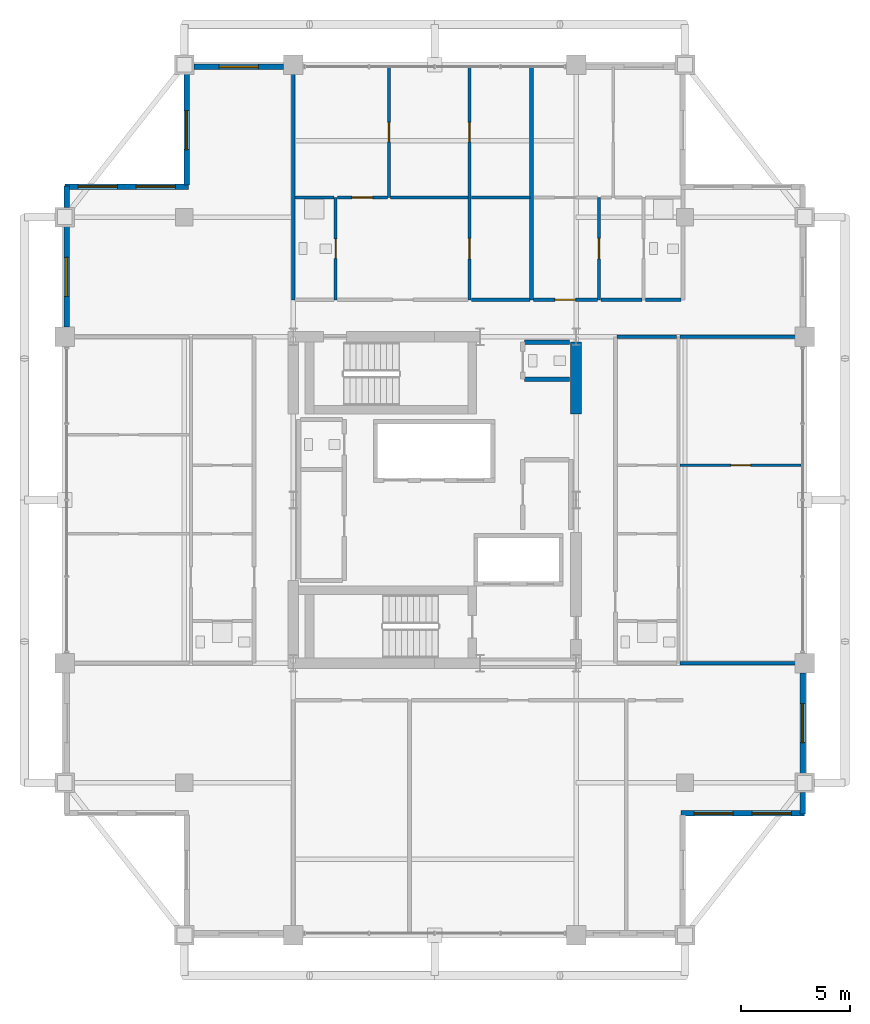
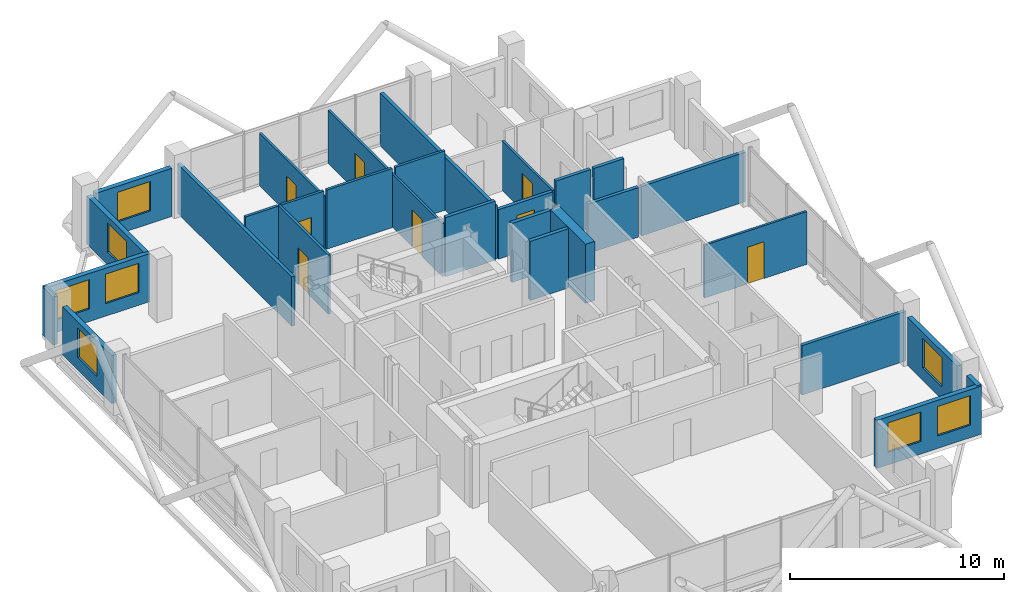
# One storey, part 21 of 24: 29 walls, 8 doors, 8 windows, 16 openings.
"""IFC4 building model written with IfcOpenShell, lengths in metres."""

from ifc_helpers import new_model, si_unit, direction, frame, frame_2d, origin, place, context, subcontext, project, spatial, rectangle, extrude, material, layer, layer_set, type_object, element, fill, save


model = new_model("IFC4")

# Units and contexts
model_context = context("Model", 3, precision=1e-05, world=origin(), true_north=direction((0.0, 1.0)))
body_context = subcontext(model_context, "Body", "Model", "MODEL_VIEW")
ifc_project = project(units=[si_unit("LENGTHUNIT", "METRE"), si_unit("AREAUNIT", "SQUARE_METRE"), si_unit("VOLUMEUNIT", "CUBIC_METRE"), si_unit("PLANEANGLEUNIT", "RADIAN"), si_unit("MASSUNIT", "GRAM", prefix="KILO")], contexts=[model_context])

# Site, building, storey
site_placement = place(None, origin())
site = spatial("IfcSite", under=ifc_project, at=site_placement, CompositionType="ELEMENT")
building_placement = place(site_placement, origin())
building = spatial("IfcBuilding", under=site, at=building_placement, Name="Barlavira Tower and Art Museum", CompositionType="ELEMENT")
storey_placement = place(building_placement, frame((0.0, 0.0, 251.10009765625)))
storey = spatial("IfcBuildingStorey", under=building, at=storey_placement, Name="L65", CompositionType="ELEMENT", Elevation=251.10009765625)

# Wall, opening, door
ifc_material_1 = material(Name="Gypsum acoustic stud partition", Category="gypsum")
ifc_layer_1 = layer(ifc_material_1, 0.1201171875, Name="Gypsum acoustic stud partition")
ifc_layer_set_1 = layer_set([ifc_layer_1], Name="Gypsum acoustic stud partition")
wall_type_1 = type_object("IfcWallType", Name="Apartment Internal Acoustic Partition 120", PredefinedType="PARTITIONING", material=ifc_layer_set_1)
wall_1_placement = place(storey_placement, frame((-2.10009765625, 13.89990234375, 0.0), z_axis=(0.0, 0.0, 1.0), x_axis=(0.0, 1.0, 0.0)))
wall_1 = element("IfcWall", 1, at=wall_1_placement, inside=storey, type_object=wall_type_1, Name="L65 Partition Wall 8", PredefinedType="PARTITIONING", context=body_context, shape_type="SweptSolid", body=[
    extrude(rectangle(XDim=6.0, YDim=0.1201171875, at=frame_2d((3.0, 0.0))), origin(), (0.0, 0.0, 1.0), 3.017822265625),
])
opening_1_placement = place(wall_1_placement, frame((2.550048828125, 0.0, 0.0)))
opening_1 = element("IfcOpeningElement", 2, at=opening_1_placement, cuts=wall_1, Name="Opening D-01", PredefinedType="OPENING", context=body_context, shape_type="SweptSolid", body=[
    extrude(rectangle(XDim=0.89990234375, YDim=2.10009765625, at=frame_2d((0.449951171875, 1.050048828125))), frame((0.0, 0.070068359375, 0.0), z_axis=(0.0, -1.0, 0.0), x_axis=(1.0, 0.0, 0.0)), (0.0, 0.0, 1.0), 0.14013671875),
])
ifc_material_2 = material(Name="Engineered coastal hardwood", Category="wood")
door_type_1 = type_object("IfcDoorType", Name="Internal Bedroom Timber Flush Door 900x2100", OperationType="NOTDEFINED", PredefinedType="DOOR", material=ifc_material_2)
door_1_placement = place(opening_1_placement, origin())
door_1 = element("IfcDoor", 3, at=door_1_placement, inside=storey, type_object=door_type_1, Name="Apartment N1 Bedroom 1 Door", OperationType="SINGLE_SWING_RIGHT", OverallHeight=2.10009765625, OverallWidth=0.89990234375, PredefinedType="DOOR", context=body_context, shape_type="SweptSolid", body=[
    extrude(rectangle(XDim=0.89990234375, YDim=2.10009765625, at=frame_2d((0.449951171875, 1.050048828125))), frame((0.0, 0.02490234375, 0.0), z_axis=(0.0, -1.0, 0.0), x_axis=(1.0, 0.0, 0.0)), (0.0, 0.0, 1.0), 0.050048828125),
])
fill(opening_1, door_1)

# Wall, openings, doors
wall_2_placement = place(storey_placement, frame((1.60009765625, 9.199951171875, 0.0), z_axis=(0.0, 0.0, 1.0), x_axis=(0.0, 1.0, 0.0)))
wall_2 = element("IfcWall", 4, at=wall_2_placement, inside=storey, type_object=wall_type_1, Name="L65 Partition Wall 10", PredefinedType="PARTITIONING", context=body_context, shape_type="SweptSolid", body=[
    extrude(rectangle(XDim=10.699951171875, YDim=0.1201171875, at=frame_2d((5.35009765625, 0.0))), origin(), (0.0, 0.0, 1.0), 3.017822265625),
])
opening_2_placement = place(wall_2_placement, frame((1.875, 0.0, 0.0)))
opening_2 = element("IfcOpeningElement", 5, at=opening_2_placement, cuts=wall_2, Name="Opening D-02", PredefinedType="OPENING", context=body_context, shape_type="SweptSolid", body=[
    extrude(rectangle(XDim=0.949951171875, YDim=2.10009765625, at=frame_2d((0.47509765625, 1.050048828125))), frame((0.0, 0.070068359375, 0.0), z_axis=(0.0, -1.0, 0.0), x_axis=(1.0, 0.0, 0.0)), (0.0, 0.0, 1.0), 0.14013671875),
])
opening_3_placement = place(wall_2_placement, frame((7.25, 0.0, 0.0)))
opening_3 = element("IfcOpeningElement", 6, at=opening_3_placement, cuts=wall_2, Name="Opening D-01", PredefinedType="OPENING", context=body_context, shape_type="SweptSolid", body=[
    extrude(rectangle(XDim=0.89990234375, YDim=2.10009765625, at=frame_2d((0.449951171875, 1.050048828125))), frame((0.0, 0.070068359375, 0.0), z_axis=(0.0, -1.0, 0.0), x_axis=(1.0, 0.0, 0.0)), (0.0, 0.0, 1.0), 0.14013671875),
])
door_2_placement = place(opening_3_placement, origin())
door_2 = element("IfcDoor", 7, at=door_2_placement, inside=storey, type_object=door_type_1, Name="Apartment N1 Bedroom 2 Door", OperationType="SINGLE_SWING_LEFT", OverallHeight=2.10009765625, OverallWidth=0.89990234375, PredefinedType="DOOR", context=body_context, shape_type="SweptSolid", body=[
    extrude(rectangle(XDim=0.89990234375, YDim=2.10009765625, at=frame_2d((0.449951171875, 1.050048828125))), frame((0.0, 0.02490234375, 0.0), z_axis=(0.0, -1.0, 0.0), x_axis=(1.0, 0.0, 0.0)), (0.0, 0.0, 1.0), 0.050048828125),
])
fill(opening_3, door_2)
door_type_2 = type_object("IfcDoorType", Name="Living and Salon Glazed-Leaf Door 950x2100", OperationType="NOTDEFINED", PredefinedType="DOOR", material=ifc_material_2)
door_3_placement = place(opening_2_placement, origin())
door_3 = element("IfcDoor", 8, at=door_3_placement, inside=storey, type_object=door_type_2, Name="Apartment N1 Kitchen Door", OperationType="SINGLE_SWING_RIGHT", OverallHeight=2.10009765625, OverallWidth=0.949951171875, PredefinedType="DOOR", context=body_context, shape_type="SweptSolid", body=[
    extrude(rectangle(XDim=0.949951171875, YDim=2.10009765625, at=frame_2d((0.47509765625, 1.050048828125))), frame((0.0, 0.02490234375, 0.0), z_axis=(0.0, -1.0, 0.0), x_axis=(1.0, 0.0, 0.0)), (0.0, 0.0, 1.0), 0.050048828125),
])
fill(opening_2, door_3)

# Wall, opening, door
wall_3_placement = place(storey_placement, frame((7.550048828125, 9.199951171875, 0.0), z_axis=(0.0, 0.0, 1.0), x_axis=(0.0, 1.0, 0.0)))
wall_3 = element("IfcWall", 9, at=wall_3_placement, inside=storey, type_object=wall_type_1, Name="L65 Partition Wall 15", PredefinedType="PARTITIONING", context=body_context, shape_type="SweptSolid", body=[
    extrude(rectangle(XDim=4.699951171875, YDim=0.1201171875, at=frame_2d((2.35009765625, 0.0))), origin(), (0.0, 0.0, 1.0), 2.825927734375),
])
opening_4_placement = place(wall_3_placement, frame((1.875, 0.0, 0.0)))
opening_4 = element("IfcOpeningElement", 10, at=opening_4_placement, cuts=wall_3, Name="Opening D-02", PredefinedType="OPENING", context=body_context, shape_type="SweptSolid", body=[
    extrude(rectangle(XDim=0.949951171875, YDim=2.10009765625, at=frame_2d((0.47509765625, 1.050048828125))), frame((0.0, 0.070068359375, 0.0), z_axis=(0.0, -1.0, 0.0), x_axis=(1.0, 0.0, 0.0)), (0.0, 0.0, 1.0), 0.14013671875),
])
door_4_placement = place(opening_4_placement, origin())
door_4 = element("IfcDoor", 11, at=door_4_placement, inside=storey, type_object=door_type_2, Name="Apartment N2 Kitchen Door", OperationType="SINGLE_SWING_LEFT", OverallHeight=2.10009765625, OverallWidth=0.949951171875, PredefinedType="DOOR", context=body_context, shape_type="SweptSolid", body=[
    extrude(rectangle(XDim=0.949951171875, YDim=2.10009765625, at=frame_2d((0.47509765625, 1.050048828125))), frame((0.0, 0.02490234375, 0.0), z_axis=(0.0, -1.0, 0.0), x_axis=(1.0, 0.0, 0.0)), (0.0, 0.0, 1.0), 0.050048828125),
])
fill(opening_4, door_4)

wall_4_placement = place(storey_placement, frame((11.280029296875, 1.60009765625, 0.0), z_axis=(0.0, 0.0, 1.0), x_axis=(1.0, 0.0, 0.0)))
wall_4 = element("IfcWall", 12, at=wall_4_placement, inside=storey, type_object=wall_type_1, Name="L65 Partition Wall 38", PredefinedType="PARTITIONING", context=body_context, shape_type="SweptSolid", body=[
    extrude(rectangle(XDim=5.5400390625, YDim=0.1201171875, at=frame_2d((2.77001953125, 0.0))), origin(), (0.0, 0.0, 1.0), 3.017822265625),
])
opening_5_placement = place(wall_4_placement, frame((2.330078125, 0.0, 0.0)))
opening_5 = element("IfcOpeningElement", 13, at=opening_5_placement, cuts=wall_4, Name="Opening D-01", PredefinedType="OPENING", context=body_context, shape_type="SweptSolid", body=[
    extrude(rectangle(XDim=0.89990234375, YDim=2.10009765625, at=frame_2d((0.449951171875, 1.050048828125))), frame((0.0, 0.070068359375, 0.0), z_axis=(0.0, -1.0, 0.0), x_axis=(1.0, 0.0, 0.0)), (0.0, 0.0, 1.0), 0.14013671875),
])
door_5_placement = place(opening_5_placement, origin())
door_5 = element("IfcDoor", 14, at=door_5_placement, inside=storey, type_object=door_type_1, Name="Apartment E1 Bedroom 1 Door", OperationType="SINGLE_SWING_LEFT", OverallHeight=2.10009765625, OverallWidth=0.89990234375, PredefinedType="DOOR", context=body_context, shape_type="SweptSolid", body=[
    extrude(rectangle(XDim=0.89990234375, YDim=2.10009765625, at=frame_2d((0.449951171875, 1.050048828125))), frame((0.0, 0.02490234375, 0.0), z_axis=(0.0, -1.0, 0.0), x_axis=(1.0, 0.0, 0.0)), (0.0, 0.0, 1.0), 0.050048828125),
])
fill(opening_5, door_5)

# Walls
ifc_material_3 = material(Name="Concrete C60", Category="concrete")
ifc_layer_2 = layer(ifc_material_3, 0.5, Name="Concrete C60")
ifc_layer_set_2 = layer_set([ifc_layer_2], Name="Concrete C60")
wall_type_2 = type_object("IfcWallType", Name="Core Structural Shear Wall 500 Concrete C60", PredefinedType="SHEAR", material=ifc_layer_set_2)
wall_5_placement = place(storey_placement, frame((6.5, 3.949951171875, 0.0), z_axis=(0.0, 0.0, 1.0), x_axis=(0.0, 1.0, 0.0)))
element("IfcWall", 15, at=wall_5_placement, inside=storey, type_object=wall_type_2, Name="L65 Core Shear Wall CS-E2", PredefinedType="SHEAR", context=body_context, shape_type="SweptSolid", body=[
    extrude(rectangle(XDim=3.300048828125, YDim=0.5, at=frame_2d((1.64990234375, 0.0))), origin(), (0.0, 0.0, 1.0), 3.3798828125),
])
ifc_material_4 = material(Name="Autoclaved aerated concrete masonry", Category="masonry")
ifc_layer_3 = layer(ifc_material_4, 0.199951171875, Name="Autoclaved aerated concrete masonry")
ifc_layer_set_3 = layer_set([ifc_layer_3], Name="Autoclaved aerated concrete masonry")
wall_type_3 = type_object("IfcWallType", Name="Fire Compartment and Shaft Wall 200", PredefinedType="SOLIDWALL", material=ifc_layer_set_3)
for number, where, z_axis, x_axis, name in (
    (16, (4.1298828125, 5.550048828125, 0.0), (0.0, 0.0, 1.0), (1.0, 0.0, 0.0), "L65 Partition Wall 42"),
    (17, (4.1298828125, 7.25, 0.0), (0.0, 0.0, 1.0), (1.0, 0.0, 0.0), "L65 Partition Wall 43"),
):
    element("IfcWall", number, at=place(storey_placement, frame(where, z_axis=z_axis, x_axis=x_axis)), inside=storey, type_object=wall_type_3, Name=name, PredefinedType="SOLIDWALL", context=body_context, shape_type="SweptSolid", body=[
        extrude(rectangle(XDim=2.070068359375, YDim=0.199951171875, at=frame_2d((1.03515625, 0.0))), origin(), (0.0, 0.0, 1.0), 3.3798828125),
    ])
ifc_layer_4 = layer(ifc_material_1, 0.179931640625, Name="Gypsum acoustic stud partition")
ifc_layer_set_4 = layer_set([ifc_layer_4], Name="Gypsum acoustic stud partition")
wall_type_4 = type_object("IfcWallType", Name="Inter-Tenancy Party Partition Wall 180", PredefinedType="PARTITIONING", material=ifc_layer_set_4)
wall_6_placement = place(storey_placement, frame((-6.5, 9.199951171875, 0.0), z_axis=(0.0, 0.0, 1.0), x_axis=(0.0, 1.0, 0.0)))
element("IfcWall", 18, at=wall_6_placement, inside=storey, type_object=wall_type_4, Name="L65 Partition Wall 4", PredefinedType="PARTITIONING", context=body_context, shape_type="SweptSolid", body=[
    extrude(rectangle(XDim=10.699951171875, YDim=0.179931640625, at=frame_2d((5.35009765625, 0.0))), origin(), (0.0, 0.0, 1.0), 2.825927734375),
])
wall_7_placement = place(storey_placement, frame((4.449951171875, 9.199951171875, 0.0), z_axis=(0.0, 0.0, 1.0), x_axis=(0.0, 1.0, 0.0)))
element("IfcWall", 19, at=wall_7_placement, inside=storey, type_object=wall_type_4, Name="L65 Partition Wall 13", PredefinedType="PARTITIONING", context=body_context, shape_type="SweptSolid", body=[
    extrude(rectangle(XDim=10.699951171875, YDim=0.179931640625, at=frame_2d((5.35009765625, 0.0))), origin(), (0.0, 0.0, 1.0), 3.017822265625),
])
wall_8_placement = place(storey_placement, frame((11.280029296875, -7.5, 0.0), z_axis=(0.0, 0.0, 1.0), x_axis=(1.0, 0.0, 0.0)))
element("IfcWall", 20, at=wall_8_placement, inside=storey, type_object=wall_type_4, Name="L65 Partition Wall 28", PredefinedType="PARTITIONING", context=body_context, shape_type="SweptSolid", body=[
    extrude(rectangle(XDim=5.619873046875, YDim=0.179931640625, at=frame_2d((2.81005859375, 0.0))), origin(), (0.0, 0.0, 1.0), 2.825927734375),
])
wall_9_placement = place(storey_placement, frame((8.3798828125, 7.5, 0.0), z_axis=(0.0, 0.0, 1.0), x_axis=(1.0, 0.0, 0.0)))
element("IfcWall", 21, at=wall_9_placement, inside=storey, type_object=wall_type_4, Name="L65 Partition Wall 46", PredefinedType="PARTITIONING", context=body_context, shape_type="SweptSolid", body=[
    extrude(rectangle(XDim=2.740234375, YDim=0.179931640625, at=frame_2d((1.3701171875, 0.0))), origin(), (0.0, 0.0, 1.0), 2.825927734375),
])
wall_10_placement = place(storey_placement, frame((11.280029296875, 7.5, 0.0), z_axis=(0.0, 0.0, 1.0), x_axis=(1.0, 0.0, 0.0)))
element("IfcWall", 22, at=wall_10_placement, inside=storey, type_object=wall_type_4, Name="L65 Partition Wall 47", PredefinedType="PARTITIONING", context=body_context, shape_type="SweptSolid", body=[
    extrude(rectangle(XDim=5.619873046875, YDim=0.179931640625, at=frame_2d((2.81005859375, 0.0))), origin(), (0.0, 0.0, 1.0), 2.825927734375),
])
wall_11_placement = place(storey_placement, frame((1.679931640625, 9.199951171875, 0.0), z_axis=(0.0, 0.0, 1.0), x_axis=(1.0, 0.0, 0.0)))
element("IfcWall", 23, at=wall_11_placement, inside=storey, type_object=wall_type_4, Name="L65 Partition Wall 50", PredefinedType="PARTITIONING", context=body_context, shape_type="SweptSolid", body=[
    extrude(rectangle(XDim=2.690185546875, YDim=0.179931640625, at=frame_2d((1.34521484375, 0.0))), origin(), (0.0, 0.0, 1.0), 3.3798828125),
])

# Wall, opening, door
wall_12_placement = place(storey_placement, frame((4.530029296875, 9.199951171875, 0.0), z_axis=(0.0, 0.0, 1.0), x_axis=(1.0, 0.0, 0.0)))
wall_12 = element("IfcWall", 24, at=wall_12_placement, inside=storey, type_object=wall_type_4, Name="L65 Partition Wall 51", PredefinedType="PARTITIONING", context=body_context, shape_type="SweptSolid", body=[
    extrude(rectangle(XDim=2.93994140625, YDim=0.179931640625, at=frame_2d((1.469970703125, 0.0))), origin(), (0.0, 0.0, 1.0), 2.825927734375),
])
opening_6_placement = place(wall_12_placement, frame((0.9951171875, 0.0, 0.0)))
opening_6 = element("IfcOpeningElement", 25, at=opening_6_placement, cuts=wall_12, Name="Opening FD-60", PredefinedType="OPENING", context=body_context, shape_type="SweptSolid", body=[
    extrude(rectangle(XDim=0.949951171875, YDim=2.14990234375, at=frame_2d((0.47509765625, 1.074951171875))), frame((0.0, 0.10009765625, 0.0), z_axis=(0.0, -1.0, 0.0), x_axis=(1.0, 0.0, 0.0)), (0.0, 0.0, 1.0), 0.199951171875),
])
ifc_material_5 = material(Name="Brushed stainless steel", Category="steel")
door_type_3 = type_object("IfcDoorType", Name="Apartment Entrance and Riser Fire Door 950x2150 FD60S", OperationType="NOTDEFINED", PredefinedType="DOOR", material=ifc_material_5)
door_6_placement = place(opening_6_placement, origin())
door_6 = element("IfcDoor", 26, at=door_6_placement, inside=storey, type_object=door_type_3, Name="Apartment Entrance Hall N2 Door", OperationType="SINGLE_SWING_RIGHT", OverallHeight=2.14990234375, OverallWidth=0.949951171875, PredefinedType="DOOR", context=body_context, shape_type="SweptSolid", body=[
    extrude(rectangle(XDim=0.949951171875, YDim=2.14990234375, at=frame_2d((0.47509765625, 1.074951171875))), frame((0.0, 0.02490234375, 0.0), z_axis=(0.0, -1.0, 0.0), x_axis=(1.0, 0.0, 0.0)), (0.0, 0.0, 1.0), 0.050048828125),
])
fill(opening_6, door_6)

# Walls
wall_13_placement = place(storey_placement, frame((7.6298828125, 9.199951171875, 0.0), z_axis=(0.0, 0.0, 1.0), x_axis=(1.0, 0.0, 0.0)))
element("IfcWall", 27, at=wall_13_placement, inside=storey, type_object=wall_type_4, Name="L65 Partition Wall 52", PredefinedType="PARTITIONING", context=body_context, shape_type="SweptSolid", body=[
    extrude(rectangle(XDim=1.89013671875, YDim=0.179931640625, at=frame_2d((0.945068359375, 0.0))), origin(), (0.0, 0.0, 1.0), 3.3798828125),
])
wall_14_placement = place(storey_placement, frame((9.679931640625, 9.199951171875, 0.0), z_axis=(0.0, 0.0, 1.0), x_axis=(1.0, 0.0, 0.0)))
element("IfcWall", 28, at=wall_14_placement, inside=storey, type_object=wall_type_4, Name="L65 Partition Wall 53", PredefinedType="PARTITIONING", context=body_context, shape_type="SweptSolid", body=[
    extrude(rectangle(XDim=1.64013671875, YDim=0.179931640625, at=frame_2d((0.820068359375, 0.0))), origin(), (0.0, 0.0, 1.0), 3.3798828125),
])

# Wall, opening, door
ifc_layer_5 = layer(ifc_material_1, 0.139892578125, Name="Gypsum acoustic stud partition")
ifc_layer_set_5 = layer_set([ifc_layer_5], Name="Gypsum acoustic stud partition")
wall_type_5 = type_object("IfcWallType", Name="Moisture-Resistant Bathroom Partition 140", PredefinedType="PARTITIONING", material=ifc_layer_set_5)
wall_15_placement = place(storey_placement, frame((-4.550048828125, 9.199951171875, 0.0), z_axis=(0.0, 0.0, 1.0), x_axis=(0.0, 1.0, 0.0)))
wall_15 = element("IfcWall", 29, at=wall_15_placement, inside=storey, type_object=wall_type_5, Name="L65 Partition Wall 6", PredefinedType="PARTITIONING", context=body_context, shape_type="SweptSolid", body=[
    extrude(rectangle(XDim=4.699951171875, YDim=0.139892578125, at=frame_2d((2.35009765625, 0.0))), origin(), (0.0, 0.0, 1.0), 3.3798828125),
])
opening_7_placement = place(wall_15_placement, frame((1.89990234375, 0.0, 0.0)))
opening_7 = element("IfcOpeningElement", 30, at=opening_7_placement, cuts=wall_15, Name="Opening D-WC", PredefinedType="OPENING", context=body_context, shape_type="SweptSolid", body=[
    extrude(rectangle(XDim=0.89990234375, YDim=2.10009765625, at=frame_2d((0.449951171875, 1.050048828125))), frame((0.0, 0.080078125, 0.0), z_axis=(0.0, -1.0, 0.0), x_axis=(1.0, 0.0, 0.0)), (0.0, 0.0, 1.0), 0.159912109375),
])
door_type_4 = type_object("IfcDoorType", Name="Accessible Bathroom Flush Door 900x2100", OperationType="NOTDEFINED", PredefinedType="DOOR", material=ifc_material_2)
door_7_placement = place(opening_7_placement, origin())
door_7 = element("IfcDoor", 31, at=door_7_placement, inside=storey, type_object=door_type_4, Name="Apartment N1 Hall Bathroom Door", OperationType="SINGLE_SWING_RIGHT", OverallHeight=2.10009765625, OverallWidth=0.89990234375, PredefinedType="DOOR", context=body_context, shape_type="SweptSolid", body=[
    extrude(rectangle(XDim=0.89990234375, YDim=2.10009765625, at=frame_2d((0.449951171875, 1.050048828125))), frame((0.0, 0.02490234375, 0.0), z_axis=(0.0, -1.0, 0.0), x_axis=(1.0, 0.0, 0.0)), (0.0, 0.0, 1.0), 0.050048828125),
])
fill(opening_7, door_7)

# Wall
wall_16_placement = place(storey_placement, frame((-6.419921875, 13.89990234375, 0.0), z_axis=(0.0, 0.0, 1.0), x_axis=(1.0, 0.0, 0.0)))
element("IfcWall", 32, at=wall_16_placement, inside=storey, type_object=wall_type_5, Name="L65 Partition Wall 54", PredefinedType="PARTITIONING", context=body_context, shape_type="SweptSolid", body=[
    extrude(rectangle(XDim=1.7900390625, YDim=0.139892578125, at=frame_2d((0.89501953125, 0.0))), origin(), (0.0, 0.0, 1.0), 3.3798828125),
])

# Wall, opening, door
wall_17_placement = place(storey_placement, frame((-4.469970703125, 13.89990234375, 0.0), z_axis=(0.0, 0.0, 1.0), x_axis=(1.0, 0.0, 0.0)))
wall_17 = element("IfcWall", 33, at=wall_17_placement, inside=storey, type_object=wall_type_5, Name="L65 Partition Wall 55", PredefinedType="PARTITIONING", context=body_context, shape_type="SweptSolid", body=[
    extrude(rectangle(XDim=2.2900390625, YDim=0.139892578125, at=frame_2d((1.14501953125, 0.0))), origin(), (0.0, 0.0, 1.0), 3.3798828125),
])
opening_8_placement = place(wall_17_placement, frame((0.6650390625, 0.0, 0.0)))
opening_8 = element("IfcOpeningElement", 34, at=opening_8_placement, cuts=wall_17, Name="Opening D-02", PredefinedType="OPENING", context=body_context, shape_type="SweptSolid", body=[
    extrude(rectangle(XDim=0.949951171875, YDim=2.10009765625, at=frame_2d((0.47509765625, 1.050048828125))), frame((0.0, 0.080078125, 0.0), z_axis=(0.0, -1.0, 0.0), x_axis=(1.0, 0.0, 0.0)), (0.0, 0.0, 1.0), 0.159912109375),
])
door_8_placement = place(opening_8_placement, origin())
door_8 = element("IfcDoor", 35, at=door_8_placement, inside=storey, type_object=door_type_2, Name="Apartment N1 Living Lounge Door", OperationType="SINGLE_SWING_LEFT", OverallHeight=2.10009765625, OverallWidth=0.949951171875, PredefinedType="DOOR", context=body_context, shape_type="SweptSolid", body=[
    extrude(rectangle(XDim=0.949951171875, YDim=2.10009765625, at=frame_2d((0.47509765625, 1.050048828125))), frame((0.0, 0.02490234375, 0.0), z_axis=(0.0, -1.0, 0.0), x_axis=(1.0, 0.0, 0.0)), (0.0, 0.0, 1.0), 0.050048828125),
])
fill(opening_8, door_8)

# Walls
wall_18_placement = place(storey_placement, frame((-2.02001953125, 13.89990234375, 0.0), z_axis=(0.0, 0.0, 1.0), x_axis=(1.0, 0.0, 0.0)))
element("IfcWall", 36, at=wall_18_placement, inside=storey, type_object=wall_type_5, Name="L65 Partition Wall 56", PredefinedType="PARTITIONING", context=body_context, shape_type="SweptSolid", body=[
    extrude(rectangle(XDim=3.5400390625, YDim=0.139892578125, at=frame_2d((1.77001953125, 0.0))), origin(), (0.0, 0.0, 1.0), 3.3798828125),
])
wall_19_placement = place(storey_placement, frame((1.679931640625, 13.89990234375, 0.0), z_axis=(0.0, 0.0, 1.0), x_axis=(1.0, 0.0, 0.0)))
element("IfcWall", 37, at=wall_19_placement, inside=storey, type_object=wall_type_5, Name="L65 Partition Wall 57", PredefinedType="PARTITIONING", context=body_context, shape_type="SweptSolid", body=[
    extrude(rectangle(XDim=2.690185546875, YDim=0.139892578125, at=frame_2d((1.34521484375, 0.0))), origin(), (0.0, 0.0, 1.0), 3.3798828125),
])

# Wall, opening, window
ifc_material_6 = material(Name="Precast concrete C40", Category="concrete")
ifc_layer_6 = layer(ifc_material_6, 0.25, Name="Precast concrete C40")
ifc_layer_set_6 = layer_set([ifc_layer_6], Name="Precast concrete C40")
wall_type_6 = type_object("IfcWallType", Name="Notched Corner Spandrel Wall 250 Precast Concrete C40", PredefinedType="SOLIDWALL", material=ifc_layer_set_6)
wall_20_placement = place(storey_placement, frame((-6.945068359375, 19.89990234375, 0.0), z_axis=(0.0, 0.0, 1.0), x_axis=(-1.0, 0.0, 0.0)))
wall_20 = element("IfcWall", 38, at=wall_20_placement, inside=storey, type_object=wall_type_6, Name="L65 Coastal Facade Pier Wall CW4-L65-N-3", PredefinedType="SOLIDWALL", context=body_context, shape_type="SweptSolid", body=[
    extrude(rectangle(XDim=4.10986328125, YDim=0.25, at=frame_2d((2.054931640625, 0.0))), origin(), (0.0, 0.0, 1.0), 2.747802734375),
])
opening_9_placement = place(wall_20_placement, frame((1.155029296875, 0.0, 0.719970703125)))
opening_9 = element("IfcOpeningElement", 39, at=opening_9_placement, cuts=wall_20, Name="Opening WN-01", PredefinedType="OPENING", context=body_context, shape_type="SweptSolid", body=[
    extrude(rectangle(XDim=1.800048828125, YDim=1.679931640625, at=frame_2d((0.89990234375, 0.83984375))), frame((0.0, 0.135009765625, 0.0), z_axis=(0.0, -1.0, 0.0), x_axis=(1.0, 0.0, 0.0)), (0.0, 0.0, 1.0), 0.27001953125),
])
ifc_material_7 = material(Name="Low-iron coastal laminated glass", Category="glass")
window_type = type_object("IfcWindowType", Name="Recessed Notch Corner Punch Window 1800x1680", PartitioningType="SINGLE_PANEL", PredefinedType="WINDOW", material=ifc_material_7)
window_1_placement = place(opening_9_placement, origin())
window_1 = element("IfcWindow", 40, at=window_1_placement, inside=storey, type_object=window_type, Name="L65 Punched Facade Window EWP-CW4-L65-N-3-1", OverallHeight=1.679931640625, OverallWidth=1.800048828125, PartitioningType="SINGLE_PANEL", PredefinedType="WINDOW", context=body_context, shape_type="SweptSolid", body=[
    extrude(rectangle(XDim=1.800048828125, YDim=1.679931640625, at=frame_2d((0.89990234375, 0.83984375))), frame((0.0, 0.030029296875, 0.0), z_axis=(0.0, -1.0, 0.0), x_axis=(1.0, 0.0, 0.0)), (0.0, 0.0, 1.0), 0.06005859375),
])
fill(opening_9, window_1)

# Wall
wall_21_placement = place(storey_placement, frame((-16.89990234375, 14.425048828125, 0.0), z_axis=(0.0, 0.0, 1.0), x_axis=(0.0, -1.0, 0.0)))
element("IfcWall", 41, at=wall_21_placement, inside=storey, type_object=wall_type_6, Name="L65 Coastal Facade Pier Wall CW4-L65-W-1", PredefinedType="SOLIDWALL", context=body_context, shape_type="SweptSolid", body=[
    extrude(rectangle(XDim=0.97998046875, YDim=0.25, at=frame_2d((0.489990234375, 0.0))), origin(), (0.0, 0.0, 1.0), 2.747802734375),
])

# Wall, opening, window
wall_22_placement = place(storey_placement, frame((-16.89990234375, 12.554931640625, 0.0), z_axis=(0.0, 0.0, 1.0), x_axis=(0.0, -1.0, 0.0)))
wall_22 = element("IfcWall", 42, at=wall_22_placement, inside=storey, type_object=wall_type_6, Name="L65 Coastal Facade Pier Wall CW4-L65-W-2", PredefinedType="SOLIDWALL", context=body_context, shape_type="SweptSolid", body=[
    extrude(rectangle(XDim=4.60986328125, YDim=0.25, at=frame_2d((2.304931640625, 0.0))), origin(), (0.0, 0.0, 1.0), 2.747802734375),
])
opening_10_placement = place(wall_22_placement, frame((1.405029296875, 0.0, 0.719970703125)))
opening_10 = element("IfcOpeningElement", 43, at=opening_10_placement, cuts=wall_22, Name="Opening WN-01", PredefinedType="OPENING", context=body_context, shape_type="SweptSolid", body=[
    extrude(rectangle(XDim=1.800048828125, YDim=1.679931640625, at=frame_2d((0.89990234375, 0.83984375))), frame((0.0, 0.135009765625, 0.0), z_axis=(0.0, -1.0, 0.0), x_axis=(1.0, 0.0, 0.0)), (0.0, 0.0, 1.0), 0.27001953125),
])
window_2_placement = place(opening_10_placement, origin())
window_2 = element("IfcWindow", 44, at=window_2_placement, inside=storey, type_object=window_type, Name="L65 Punched Facade Window EWP-CW4-L65-W-2-1", OverallHeight=1.679931640625, OverallWidth=1.800048828125, PartitioningType="SINGLE_PANEL", PredefinedType="WINDOW", context=body_context, shape_type="SweptSolid", body=[
    extrude(rectangle(XDim=1.800048828125, YDim=1.679931640625, at=frame_2d((0.89990234375, 0.83984375))), frame((0.0, 0.030029296875, 0.0), z_axis=(0.0, -1.0, 0.0), x_axis=(1.0, 0.0, 0.0)), (0.0, 0.0, 1.0), 0.06005859375),
])
fill(opening_10, window_2)

# Wall
wall_23_placement = place(storey_placement, frame((16.89990234375, -14.425048828125, 0.0), z_axis=(0.0, 0.0, 1.0), x_axis=(0.0, 1.0, 0.0)))
element("IfcWall", 45, at=wall_23_placement, inside=storey, type_object=wall_type_6, Name="L65 Coastal Facade Pier Wall CW4-L65-E-1", PredefinedType="SOLIDWALL", context=body_context, shape_type="SweptSolid", body=[
    extrude(rectangle(XDim=0.97998046875, YDim=0.25, at=frame_2d((0.489990234375, 0.0))), origin(), (0.0, 0.0, 1.0), 2.747802734375),
])

# Wall, opening, window
wall_24_placement = place(storey_placement, frame((16.89990234375, -12.554931640625, 0.0), z_axis=(0.0, 0.0, 1.0), x_axis=(0.0, 1.0, 0.0)))
wall_24 = element("IfcWall", 46, at=wall_24_placement, inside=storey, type_object=wall_type_6, Name="L65 Coastal Facade Pier Wall CW4-L65-E-2", PredefinedType="SOLIDWALL", context=body_context, shape_type="SweptSolid", body=[
    extrude(rectangle(XDim=4.60986328125, YDim=0.25, at=frame_2d((2.304931640625, 0.0))), origin(), (0.0, 0.0, 1.0), 2.747802734375),
])
opening_11_placement = place(wall_24_placement, frame((1.405029296875, 0.0, 0.719970703125)))
opening_11 = element("IfcOpeningElement", 47, at=opening_11_placement, cuts=wall_24, Name="Opening WN-01", PredefinedType="OPENING", context=body_context, shape_type="SweptSolid", body=[
    extrude(rectangle(XDim=1.800048828125, YDim=1.679931640625, at=frame_2d((0.89990234375, 0.83984375))), frame((0.0, 0.135009765625, 0.0), z_axis=(0.0, -1.0, 0.0), x_axis=(1.0, 0.0, 0.0)), (0.0, 0.0, 1.0), 0.27001953125),
])
window_3_placement = place(opening_11_placement, origin())
window_3 = element("IfcWindow", 48, at=window_3_placement, inside=storey, type_object=window_type, Name="L65 Punched Facade Window EWP-CW4-L65-E-2-1", OverallHeight=1.679931640625, OverallWidth=1.800048828125, PartitioningType="SINGLE_PANEL", PredefinedType="WINDOW", context=body_context, shape_type="SweptSolid", body=[
    extrude(rectangle(XDim=1.800048828125, YDim=1.679931640625, at=frame_2d((0.89990234375, 0.83984375))), frame((0.0, 0.030029296875, 0.0), z_axis=(0.0, -1.0, 0.0), x_axis=(1.0, 0.0, 0.0)), (0.0, 0.0, 1.0), 0.06005859375),
])
fill(opening_11, window_3)

# Wall, openings, windows
wall_25_placement = place(storey_placement, frame((11.320068359375, -14.39990234375, 0.0), z_axis=(0.0, 0.0, 1.0), x_axis=(1.0, 0.0, 0.0)))
wall_25 = element("IfcWall", 49, at=wall_25_placement, inside=storey, type_object=wall_type_6, Name="L65 Notch Corner Wall SE2", PredefinedType="SOLIDWALL", context=body_context, shape_type="SweptSolid", body=[
    extrude(rectangle(XDim=5.659912109375, YDim=0.25, at=frame_2d((2.830078125, 0.0))), origin(), (0.0, 0.0, 1.0), 2.747802734375),
])
opening_12_placement = place(wall_25_placement, frame((0.594970703125, 0.0, 0.719970703125)))
opening_12 = element("IfcOpeningElement", 50, at=opening_12_placement, cuts=wall_25, Name="Opening WN-01", PredefinedType="OPENING", context=body_context, shape_type="SweptSolid", body=[
    extrude(rectangle(XDim=1.800048828125, YDim=1.679931640625, at=frame_2d((0.89990234375, 0.83984375))), frame((0.0, 0.135009765625, 0.0), z_axis=(0.0, -1.0, 0.0), x_axis=(1.0, 0.0, 0.0)), (0.0, 0.0, 1.0), 0.27001953125),
])
opening_13_placement = place(wall_25_placement, frame((3.264892578125, 0.0, 0.719970703125)))
opening_13 = element("IfcOpeningElement", 51, at=opening_13_placement, cuts=wall_25, Name="Opening WN-01", PredefinedType="OPENING", context=body_context, shape_type="SweptSolid", body=[
    extrude(rectangle(XDim=1.800048828125, YDim=1.679931640625, at=frame_2d((0.89990234375, 0.83984375))), frame((0.0, 0.135009765625, 0.0), z_axis=(0.0, -1.0, 0.0), x_axis=(1.0, 0.0, 0.0)), (0.0, 0.0, 1.0), 0.27001953125),
])
window_4_placement = place(opening_12_placement, origin())
window_4 = element("IfcWindow", 52, at=window_4_placement, inside=storey, type_object=window_type, Name="L65 Punched Facade Window EW-NTC-L65-SE2-1", OverallHeight=1.679931640625, OverallWidth=1.800048828125, PartitioningType="SINGLE_PANEL", PredefinedType="WINDOW", context=body_context, shape_type="SweptSolid", body=[
    extrude(rectangle(XDim=1.800048828125, YDim=1.679931640625, at=frame_2d((0.89990234375, 0.83984375))), frame((0.0, 0.030029296875, 0.0), z_axis=(0.0, -1.0, 0.0), x_axis=(1.0, 0.0, 0.0)), (0.0, 0.0, 1.0), 0.06005859375),
])
fill(opening_12, window_4)
window_5_placement = place(opening_13_placement, origin())
window_5 = element("IfcWindow", 53, at=window_5_placement, inside=storey, type_object=window_type, Name="L65 Punched Facade Window EW-NTC-L65-SE2-2", OverallHeight=1.679931640625, OverallWidth=1.800048828125, PartitioningType="SINGLE_PANEL", PredefinedType="WINDOW", context=body_context, shape_type="SweptSolid", body=[
    extrude(rectangle(XDim=1.800048828125, YDim=1.679931640625, at=frame_2d((0.89990234375, 0.83984375))), frame((0.0, 0.030029296875, 0.0), z_axis=(0.0, -1.0, 0.0), x_axis=(1.0, 0.0, 0.0)), (0.0, 0.0, 1.0), 0.06005859375),
])
fill(opening_13, window_5)

# Wall, opening, window
wall_26_placement = place(storey_placement, frame((-11.39990234375, 19.820068359375, 0.0), z_axis=(0.0, 0.0, 1.0), x_axis=(0.0, -1.0, 0.0)))
wall_26 = element("IfcWall", 54, at=wall_26_placement, inside=storey, type_object=wall_type_6, Name="L65 Notch Corner Wall NW1", PredefinedType="SOLIDWALL", context=body_context, shape_type="SweptSolid", body=[
    extrude(rectangle(XDim=5.340087890625, YDim=0.25, at=frame_2d((2.669921875, 0.0))), origin(), (0.0, 0.0, 1.0), 2.747802734375),
])
opening_14_placement = place(wall_26_placement, frame((1.925048828125, 0.0, 0.719970703125)))
opening_14 = element("IfcOpeningElement", 55, at=opening_14_placement, cuts=wall_26, Name="Opening WN-01", PredefinedType="OPENING", context=body_context, shape_type="SweptSolid", body=[
    extrude(rectangle(XDim=1.800048828125, YDim=1.679931640625, at=frame_2d((0.89990234375, 0.83984375))), frame((0.0, 0.135009765625, 0.0), z_axis=(0.0, -1.0, 0.0), x_axis=(1.0, 0.0, 0.0)), (0.0, 0.0, 1.0), 0.27001953125),
])
window_6_placement = place(opening_14_placement, origin())
window_6 = element("IfcWindow", 56, at=window_6_placement, inside=storey, type_object=window_type, Name="L65 Punched Facade Window EW-NTC-L65-NW1-1", OverallHeight=1.679931640625, OverallWidth=1.800048828125, PartitioningType="SINGLE_PANEL", PredefinedType="WINDOW", context=body_context, shape_type="SweptSolid", body=[
    extrude(rectangle(XDim=1.800048828125, YDim=1.679931640625, at=frame_2d((0.89990234375, 0.83984375))), frame((0.0, 0.030029296875, 0.0), z_axis=(0.0, -1.0, 0.0), x_axis=(1.0, 0.0, 0.0)), (0.0, 0.0, 1.0), 0.06005859375),
])
fill(opening_14, window_6)

# Wall, openings, windows
wall_27_placement = place(storey_placement, frame((-11.320068359375, 14.39990234375, 0.0), z_axis=(0.0, 0.0, 1.0), x_axis=(-1.0, 0.0, 0.0)))
wall_27 = element("IfcWall", 57, at=wall_27_placement, inside=storey, type_object=wall_type_6, Name="L65 Notch Corner Wall NW2", PredefinedType="SOLIDWALL", context=body_context, shape_type="SweptSolid", body=[
    extrude(rectangle(XDim=5.659912109375, YDim=0.25, at=frame_2d((2.830078125, 0.0))), origin(), (0.0, 0.0, 1.0), 2.747802734375),
])
opening_15_placement = place(wall_27_placement, frame((0.594970703125, 0.0, 0.719970703125)))
opening_15 = element("IfcOpeningElement", 58, at=opening_15_placement, cuts=wall_27, Name="Opening WN-01", PredefinedType="OPENING", context=body_context, shape_type="SweptSolid", body=[
    extrude(rectangle(XDim=1.800048828125, YDim=1.679931640625, at=frame_2d((0.89990234375, 0.83984375))), frame((0.0, 0.135009765625, 0.0), z_axis=(0.0, -1.0, 0.0), x_axis=(1.0, 0.0, 0.0)), (0.0, 0.0, 1.0), 0.27001953125),
])
opening_16_placement = place(wall_27_placement, frame((3.264892578125, 0.0, 0.719970703125)))
opening_16 = element("IfcOpeningElement", 59, at=opening_16_placement, cuts=wall_27, Name="Opening WN-01", PredefinedType="OPENING", context=body_context, shape_type="SweptSolid", body=[
    extrude(rectangle(XDim=1.800048828125, YDim=1.679931640625, at=frame_2d((0.89990234375, 0.83984375))), frame((0.0, 0.135009765625, 0.0), z_axis=(0.0, -1.0, 0.0), x_axis=(1.0, 0.0, 0.0)), (0.0, 0.0, 1.0), 0.27001953125),
])
window_7_placement = place(opening_15_placement, origin())
window_7 = element("IfcWindow", 60, at=window_7_placement, inside=storey, type_object=window_type, Name="L65 Punched Facade Window EW-NTC-L65-NW2-1", OverallHeight=1.679931640625, OverallWidth=1.800048828125, PartitioningType="SINGLE_PANEL", PredefinedType="WINDOW", context=body_context, shape_type="SweptSolid", body=[
    extrude(rectangle(XDim=1.800048828125, YDim=1.679931640625, at=frame_2d((0.89990234375, 0.83984375))), frame((0.0, 0.030029296875, 0.0), z_axis=(0.0, -1.0, 0.0), x_axis=(1.0, 0.0, 0.0)), (0.0, 0.0, 1.0), 0.06005859375),
])
fill(opening_15, window_7)
window_8_placement = place(opening_16_placement, origin())
window_8 = element("IfcWindow", 61, at=window_8_placement, inside=storey, type_object=window_type, Name="L65 Punched Facade Window EW-NTC-L65-NW2-2", OverallHeight=1.679931640625, OverallWidth=1.800048828125, PartitioningType="SINGLE_PANEL", PredefinedType="WINDOW", context=body_context, shape_type="SweptSolid", body=[
    extrude(rectangle(XDim=1.800048828125, YDim=1.679931640625, at=frame_2d((0.89990234375, 0.83984375))), frame((0.0, 0.030029296875, 0.0), z_axis=(0.0, -1.0, 0.0), x_axis=(1.0, 0.0, 0.0)), (0.0, 0.0, 1.0), 0.06005859375),
])
fill(opening_16, window_8)

save(model, "model.ifc")
